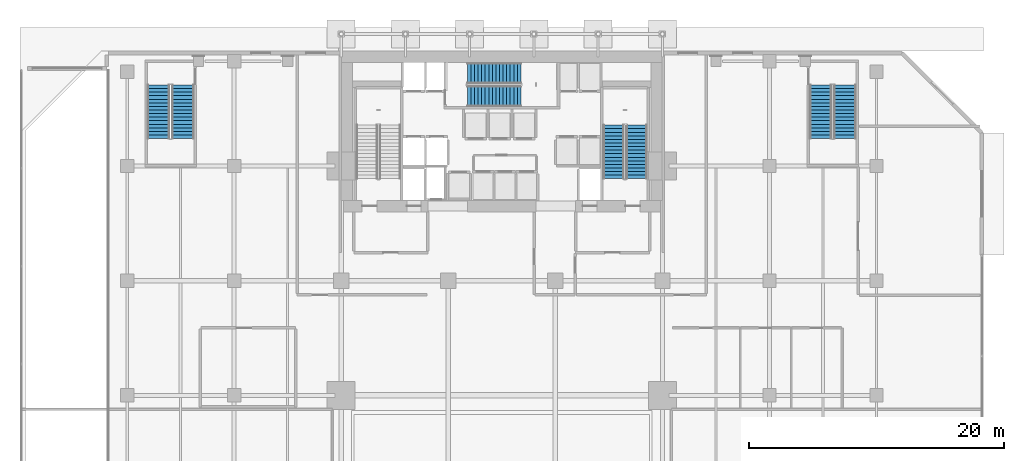
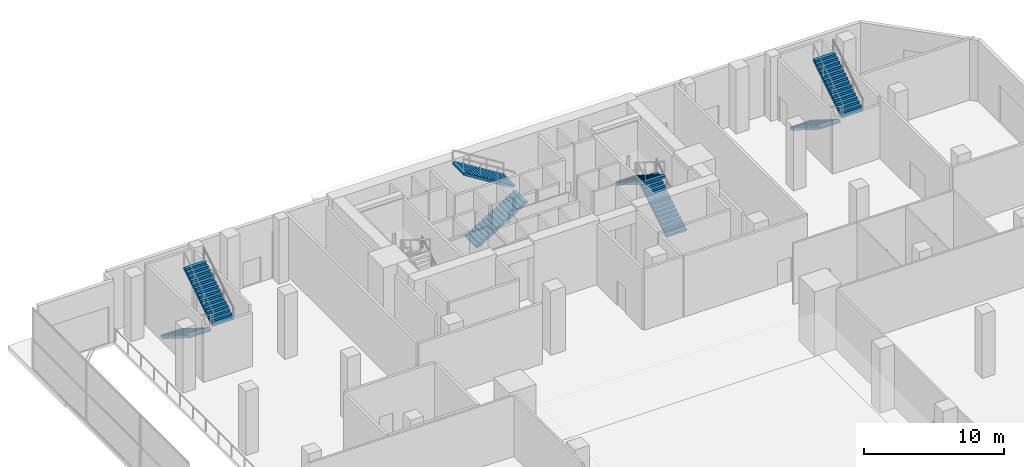
# One storey, part 31 of 35: 8 stair flights, 4 elements without a shape of their own.
"""IFC4 building model written with IfcOpenShell, lengths in metres."""

from ifc_helpers import new_model, si_unit, direction, frame, origin, place, context, subcontext, project, spatial, polyline, outline, extrude, material, type_object, element, aggregate, save


model = new_model("IFC4")

# Units and contexts
model_context = context("Model", 3, precision=1e-05, world=origin(), true_north=direction((0.0, 1.0)))
body_context = subcontext(model_context, "Body", "Model", "MODEL_VIEW")
ifc_project = project(units=[si_unit("LENGTHUNIT", "METRE"), si_unit("AREAUNIT", "SQUARE_METRE"), si_unit("VOLUMEUNIT", "CUBIC_METRE"), si_unit("PLANEANGLEUNIT", "RADIAN"), si_unit("MASSUNIT", "GRAM", prefix="KILO")], contexts=[model_context])

# Site, building, storey
site_placement = place(None, origin())
site = spatial("IfcSite", under=ifc_project, at=site_placement, CompositionType="ELEMENT")
building_placement = place(site_placement, origin())
building = spatial("IfcBuilding", under=site, at=building_placement, Name="Maruvema Waterfront Hotel and Observation Tower", CompositionType="ELEMENT")
storey_placement = place(building_placement, origin())
storey = spatial("IfcBuildingStorey", under=building, at=storey_placement, Name="L00", CompositionType="ELEMENT", Elevation=0.0)

# Stair, stair flights
ifc_material_1 = material(Name="Concrete C50/60", Category="concrete")
stair_type_1 = type_object("IfcStairType", Name="Dogleg Exit Stair 1650 mm (32R x 175.0 mm)", PredefinedType="HALF_TURN_STAIR", material=ifc_material_1)
stair_1_placement = place(storey_placement, origin())
stair_1 = element("IfcStair", 1, at=stair_1_placement, inside=storey, type_object=stair_type_1, Name="L00 ST-02", PredefinedType="HALF_TURN_STAIR")
ifc_material_2 = material(Name="Concrete C50/60", Category="concrete")
stair_flight_type_1 = type_object("IfcStairFlightType", Name="Reinforced Concrete Stair Flight 1650 mm (16R x 175.0 mm)", PredefinedType="STRAIGHT", material=ifc_material_2)
stair_flight_1_placement = place(storey_placement, frame((35.10009765625, 50.47509765625, 0.0), z_axis=(0.0, 0.0, 1.0), x_axis=(1.0, 0.0, 0.0)))
stair_flight_1 = element("IfcStairFlight", 2, at=stair_flight_1_placement, type_object=stair_flight_type_1, Name="ST-02 flight 1", NumberOfRisers=16, NumberOfTreads=15, PredefinedType="STRAIGHT", RiserHeight=0.175, TreadLength=0.28, context=body_context, shape_type="SweptSolid", body=[
    extrude(outline(polyline([(0.0, 0.0), (0.0, 0.175048828125), (0.280029296875, 0.175048828125), (0.280029296875, 0.35009765625), (0.56005859375, 0.35009765625), (0.56005859375, 0.52490234375), (0.840087890625, 0.52490234375), (0.840087890625, 0.699951171875), (1.1201171875, 0.699951171875), (1.1201171875, 0.875), (1.39990234375, 0.875), (1.39990234375, 1.050048828125), (1.679931640625, 1.050048828125), (1.679931640625, 1.22509765625), (1.9599609375, 1.22509765625), (1.9599609375, 1.39990234375), (2.239990234375, 1.39990234375), (2.239990234375, 1.574951171875), (2.52001953125, 1.574951171875), (2.52001953125, 1.75), (2.800048828125, 1.75), (2.800048828125, 1.925048828125), (3.080078125, 1.925048828125), (3.080078125, 2.10009765625), (3.360107421875, 2.10009765625), (3.360107421875, 2.27490234375), (3.639892578125, 2.27490234375), (3.639892578125, 2.449951171875), (3.919921875, 2.449951171875), (3.919921875, 2.625), (4.199951171875, 2.625), (4.199951171875, 2.800048828125), (4.199951171875, 2.4482421875), (0.28271484375, 0.0), (0.0, 0.0)])), frame((0.0, 0.824951171875, 0.0), z_axis=(0.0, -1.0, 0.0), x_axis=(1.0, 0.0, 0.0)), (0.0, 0.0, 1.0), 1.64990234375),
])
stair_flight_2_placement = place(storey_placement, frame((39.300048828125, 52.27490234375, 2.800048828125), z_axis=(0.0, 0.0, 1.0), x_axis=(-1.0, 0.0, 0.0)))
stair_flight_2 = element("IfcStairFlight", 3, at=stair_flight_2_placement, type_object=stair_flight_type_1, Name="ST-02 flight 2", NumberOfRisers=16, NumberOfTreads=15, PredefinedType="STRAIGHT", RiserHeight=0.175, TreadLength=0.28, context=body_context, shape_type="SweptSolid", body=[
    extrude(outline(polyline([(0.0, 0.0), (0.0, 0.175048828125), (0.280029296875, 0.175048828125), (0.280029296875, 0.35009765625), (0.56005859375, 0.35009765625), (0.56005859375, 0.52490234375), (0.840087890625, 0.52490234375), (0.840087890625, 0.699951171875), (1.1201171875, 0.699951171875), (1.1201171875, 0.875), (1.39990234375, 0.875), (1.39990234375, 1.050048828125), (1.679931640625, 1.050048828125), (1.679931640625, 1.22509765625), (1.9599609375, 1.22509765625), (1.9599609375, 1.39990234375), (2.239990234375, 1.39990234375), (2.239990234375, 1.574951171875), (2.52001953125, 1.574951171875), (2.52001953125, 1.75), (2.800048828125, 1.75), (2.800048828125, 1.925048828125), (3.080078125, 1.925048828125), (3.080078125, 2.10009765625), (3.360107421875, 2.10009765625), (3.360107421875, 2.27490234375), (3.639892578125, 2.27490234375), (3.639892578125, 2.449951171875), (3.919921875, 2.449951171875), (3.919921875, 2.625), (4.199951171875, 2.625), (4.199951171875, 2.800048828125), (4.199951171875, 2.4482421875), (0.28271484375, 0.0), (0.0, 0.0)])), frame((0.0, 0.824951171875, 0.0), z_axis=(0.0, -1.0, 0.0), x_axis=(1.0, 0.0, 0.0)), (0.0, 0.0, 1.0), 1.64990234375),
])
aggregate(stair_1, [stair_flight_1, stair_flight_2])

stair_2_placement = place(storey_placement, origin())
stair_2 = element("IfcStair", 4, at=stair_2_placement, inside=storey, type_object=stair_type_1, Name="L00 ST-03", PredefinedType="HALF_TURN_STAIR")
stair_flight_3_placement = place(storey_placement, frame((48.375, 44.0, 0.0), z_axis=(0.0, 0.0, 1.0), x_axis=(0.0, 1.0, 0.0)))
stair_flight_3 = element("IfcStairFlight", 5, at=stair_flight_3_placement, type_object=stair_flight_type_1, Name="ST-03 flight 1", NumberOfRisers=16, NumberOfTreads=15, PredefinedType="STRAIGHT", RiserHeight=0.175, TreadLength=0.28, context=body_context, shape_type="SweptSolid", body=[
    extrude(outline(polyline([(0.0, 0.0), (0.0, 0.175048828125), (0.280029296875, 0.175048828125), (0.280029296875, 0.35009765625), (0.56005859375, 0.35009765625), (0.56005859375, 0.52490234375), (0.840087890625, 0.52490234375), (0.840087890625, 0.699951171875), (1.1201171875, 0.699951171875), (1.1201171875, 0.875), (1.39990234375, 0.875), (1.39990234375, 1.050048828125), (1.679931640625, 1.050048828125), (1.679931640625, 1.22509765625), (1.9599609375, 1.22509765625), (1.9599609375, 1.39990234375), (2.239990234375, 1.39990234375), (2.239990234375, 1.574951171875), (2.52001953125, 1.574951171875), (2.52001953125, 1.75), (2.800048828125, 1.75), (2.800048828125, 1.925048828125), (3.080078125, 1.925048828125), (3.080078125, 2.10009765625), (3.360107421875, 2.10009765625), (3.360107421875, 2.27490234375), (3.639892578125, 2.27490234375), (3.639892578125, 2.449951171875), (3.919921875, 2.449951171875), (3.919921875, 2.625), (4.199951171875, 2.625), (4.199951171875, 2.800048828125), (4.199951171875, 2.4482421875), (0.28271484375, 0.0), (0.0, 0.0)])), frame((0.0, 0.824951171875, 0.0), z_axis=(0.0, -1.0, 0.0), x_axis=(1.0, 0.0, 0.0)), (0.0, 0.0, 1.0), 1.64990234375),
])
stair_flight_4_placement = place(storey_placement, frame((46.574951171875, 48.199951171875, 2.800048828125), z_axis=(0.0, 0.0, 1.0), x_axis=(0.0, -1.0, 0.0)))
stair_flight_4 = element("IfcStairFlight", 6, at=stair_flight_4_placement, type_object=stair_flight_type_1, Name="ST-03 flight 2", NumberOfRisers=16, NumberOfTreads=15, PredefinedType="STRAIGHT", RiserHeight=0.175, TreadLength=0.28, context=body_context, shape_type="SweptSolid", body=[
    extrude(outline(polyline([(0.0, 0.0), (0.0, 0.175048828125), (0.280029296875, 0.175048828125), (0.280029296875, 0.35009765625), (0.56005859375, 0.35009765625), (0.56005859375, 0.52490234375), (0.840087890625, 0.52490234375), (0.840087890625, 0.699951171875), (1.1201171875, 0.699951171875), (1.1201171875, 0.875), (1.39990234375, 0.875), (1.39990234375, 1.050048828125), (1.679931640625, 1.050048828125), (1.679931640625, 1.22509765625), (1.9599609375, 1.22509765625), (1.9599609375, 1.39990234375), (2.239990234375, 1.39990234375), (2.239990234375, 1.574951171875), (2.52001953125, 1.574951171875), (2.52001953125, 1.75), (2.800048828125, 1.75), (2.800048828125, 1.925048828125), (3.080078125, 1.925048828125), (3.080078125, 2.10009765625), (3.360107421875, 2.10009765625), (3.360107421875, 2.27490234375), (3.639892578125, 2.27490234375), (3.639892578125, 2.449951171875), (3.919921875, 2.449951171875), (3.919921875, 2.625), (4.199951171875, 2.625), (4.199951171875, 2.800048828125), (4.199951171875, 2.4482421875), (0.28271484375, 0.0), (0.0, 0.0)])), frame((0.0, 0.824951171875, 0.0), z_axis=(0.0, -1.0, 0.0), x_axis=(1.0, 0.0, 0.0)), (0.0, 0.0, 1.0), 1.64990234375),
])
aggregate(stair_2, [stair_flight_3, stair_flight_4])

ifc_material_3 = material(Name="Concrete C50/60", Category="concrete")
stair_type_2 = type_object("IfcStairType", Name="Dogleg Exit Stair 1750 mm (32R x 175.0 mm)", PredefinedType="HALF_TURN_STAIR", material=ifc_material_3)
stair_3_placement = place(storey_placement, origin())
stair_3 = element("IfcStair", 7, at=stair_3_placement, inside=storey, type_object=stair_type_2, Name="L00 ST-04", PredefinedType="HALF_TURN_STAIR")
ifc_material_4 = material(Name="Concrete C50/60", Category="concrete")
stair_flight_type_2 = type_object("IfcStairFlightType", Name="Reinforced Concrete Stair Flight 1750 mm (16R x 175.0 mm)", PredefinedType="STRAIGHT", material=ifc_material_4)
stair_flight_5_placement = place(storey_placement, frame((10.875, 51.35009765625, 0.0), z_axis=(0.0, 0.0, 1.0), x_axis=(0.0, -1.0, 0.0)))
stair_flight_5 = element("IfcStairFlight", 8, at=stair_flight_5_placement, type_object=stair_flight_type_2, Name="ST-04 flight 1", NumberOfRisers=16, NumberOfTreads=15, PredefinedType="STRAIGHT", RiserHeight=0.175, TreadLength=0.28, context=body_context, shape_type="SweptSolid", body=[
    extrude(outline(polyline([(0.0, 0.0), (0.0, 0.175048828125), (0.280029296875, 0.175048828125), (0.280029296875, 0.35009765625), (0.56005859375, 0.35009765625), (0.56005859375, 0.52490234375), (0.840087890625, 0.52490234375), (0.840087890625, 0.699951171875), (1.1201171875, 0.699951171875), (1.1201171875, 0.875), (1.39990234375, 0.875), (1.39990234375, 1.050048828125), (1.679931640625, 1.050048828125), (1.679931640625, 1.22509765625), (1.9599609375, 1.22509765625), (1.9599609375, 1.39990234375), (2.239990234375, 1.39990234375), (2.239990234375, 1.574951171875), (2.52001953125, 1.574951171875), (2.52001953125, 1.75), (2.800048828125, 1.75), (2.800048828125, 1.925048828125), (3.080078125, 1.925048828125), (3.080078125, 2.10009765625), (3.360107421875, 2.10009765625), (3.360107421875, 2.27490234375), (3.639892578125, 2.27490234375), (3.639892578125, 2.449951171875), (3.919921875, 2.449951171875), (3.919921875, 2.625), (4.199951171875, 2.625), (4.199951171875, 2.800048828125), (4.199951171875, 2.4482421875), (0.28271484375, 0.0), (0.0, 0.0)])), frame((0.0, 0.875, 0.0), z_axis=(0.0, -1.0, 0.0), x_axis=(1.0, 0.0, 0.0)), (0.0, 0.0, 1.0), 1.75),
])
stair_flight_6_placement = place(storey_placement, frame((12.77490234375, 47.14990234375, 2.800048828125), z_axis=(0.0, 0.0, 1.0), x_axis=(0.0, 1.0, 0.0)))
stair_flight_6 = element("IfcStairFlight", 9, at=stair_flight_6_placement, type_object=stair_flight_type_2, Name="ST-04 flight 2", NumberOfRisers=16, NumberOfTreads=15, PredefinedType="STRAIGHT", RiserHeight=0.175, TreadLength=0.28, context=body_context, shape_type="SweptSolid", body=[
    extrude(outline(polyline([(0.0, 0.0), (0.0, 0.175048828125), (0.280029296875, 0.175048828125), (0.280029296875, 0.35009765625), (0.56005859375, 0.35009765625), (0.56005859375, 0.52490234375), (0.840087890625, 0.52490234375), (0.840087890625, 0.699951171875), (1.1201171875, 0.699951171875), (1.1201171875, 0.875), (1.39990234375, 0.875), (1.39990234375, 1.050048828125), (1.679931640625, 1.050048828125), (1.679931640625, 1.22509765625), (1.9599609375, 1.22509765625), (1.9599609375, 1.39990234375), (2.239990234375, 1.39990234375), (2.239990234375, 1.574951171875), (2.52001953125, 1.574951171875), (2.52001953125, 1.75), (2.800048828125, 1.75), (2.800048828125, 1.925048828125), (3.080078125, 1.925048828125), (3.080078125, 2.10009765625), (3.360107421875, 2.10009765625), (3.360107421875, 2.27490234375), (3.639892578125, 2.27490234375), (3.639892578125, 2.449951171875), (3.919921875, 2.449951171875), (3.919921875, 2.625), (4.199951171875, 2.625), (4.199951171875, 2.800048828125), (4.199951171875, 2.4482421875), (0.28271484375, 0.0), (0.0, 0.0)])), frame((0.0, 0.875, 0.0), z_axis=(0.0, -1.0, 0.0), x_axis=(1.0, 0.0, 0.0)), (0.0, 0.0, 1.0), 1.75),
])
aggregate(stair_3, [stair_flight_5, stair_flight_6])

stair_4_placement = place(storey_placement, origin())
stair_4 = element("IfcStair", 10, at=stair_4_placement, inside=storey, type_object=stair_type_2, Name="L00 ST-05", PredefinedType="HALF_TURN_STAIR")
stair_flight_7_placement = place(storey_placement, frame((62.824951171875, 51.35009765625, 0.0), z_axis=(0.0, 0.0, 1.0), x_axis=(0.0, -1.0, 0.0)))
stair_flight_7 = element("IfcStairFlight", 11, at=stair_flight_7_placement, type_object=stair_flight_type_2, Name="ST-05 flight 1", NumberOfRisers=16, NumberOfTreads=15, PredefinedType="STRAIGHT", RiserHeight=0.175, TreadLength=0.28, context=body_context, shape_type="SweptSolid", body=[
    extrude(outline(polyline([(0.0, 0.0), (0.0, 0.175048828125), (0.280029296875, 0.175048828125), (0.280029296875, 0.35009765625), (0.56005859375, 0.35009765625), (0.56005859375, 0.52490234375), (0.840087890625, 0.52490234375), (0.840087890625, 0.699951171875), (1.1201171875, 0.699951171875), (1.1201171875, 0.875), (1.39990234375, 0.875), (1.39990234375, 1.050048828125), (1.679931640625, 1.050048828125), (1.679931640625, 1.22509765625), (1.9599609375, 1.22509765625), (1.9599609375, 1.39990234375), (2.239990234375, 1.39990234375), (2.239990234375, 1.574951171875), (2.52001953125, 1.574951171875), (2.52001953125, 1.75), (2.800048828125, 1.75), (2.800048828125, 1.925048828125), (3.080078125, 1.925048828125), (3.080078125, 2.10009765625), (3.360107421875, 2.10009765625), (3.360107421875, 2.27490234375), (3.639892578125, 2.27490234375), (3.639892578125, 2.449951171875), (3.919921875, 2.449951171875), (3.919921875, 2.625), (4.199951171875, 2.625), (4.199951171875, 2.800048828125), (4.199951171875, 2.4482421875), (0.28271484375, 0.0), (0.0, 0.0)])), frame((0.0, 0.875, 0.0), z_axis=(0.0, -1.0, 0.0), x_axis=(1.0, 0.0, 0.0)), (0.0, 0.0, 1.0), 1.75),
])
stair_flight_8_placement = place(storey_placement, frame((64.72509765625, 47.14990234375, 2.800048828125), z_axis=(0.0, 0.0, 1.0), x_axis=(0.0, 1.0, 0.0)))
stair_flight_8 = element("IfcStairFlight", 12, at=stair_flight_8_placement, type_object=stair_flight_type_2, Name="ST-05 flight 2", NumberOfRisers=16, NumberOfTreads=15, PredefinedType="STRAIGHT", RiserHeight=0.175, TreadLength=0.28, context=body_context, shape_type="SweptSolid", body=[
    extrude(outline(polyline([(0.0, 0.0), (0.0, 0.175048828125), (0.280029296875, 0.175048828125), (0.280029296875, 0.35009765625), (0.56005859375, 0.35009765625), (0.56005859375, 0.52490234375), (0.840087890625, 0.52490234375), (0.840087890625, 0.699951171875), (1.1201171875, 0.699951171875), (1.1201171875, 0.875), (1.39990234375, 0.875), (1.39990234375, 1.050048828125), (1.679931640625, 1.050048828125), (1.679931640625, 1.22509765625), (1.9599609375, 1.22509765625), (1.9599609375, 1.39990234375), (2.239990234375, 1.39990234375), (2.239990234375, 1.574951171875), (2.52001953125, 1.574951171875), (2.52001953125, 1.75), (2.800048828125, 1.75), (2.800048828125, 1.925048828125), (3.080078125, 1.925048828125), (3.080078125, 2.10009765625), (3.360107421875, 2.10009765625), (3.360107421875, 2.27490234375), (3.639892578125, 2.27490234375), (3.639892578125, 2.449951171875), (3.919921875, 2.449951171875), (3.919921875, 2.625), (4.199951171875, 2.625), (4.199951171875, 2.800048828125), (4.199951171875, 2.4482421875), (0.28271484375, 0.0), (0.0, 0.0)])), frame((0.0, 0.875, 0.0), z_axis=(0.0, -1.0, 0.0), x_axis=(1.0, 0.0, 0.0)), (0.0, 0.0, 1.0), 1.75),
])
aggregate(stair_4, [stair_flight_7, stair_flight_8])

save(model, "model.ifc")
